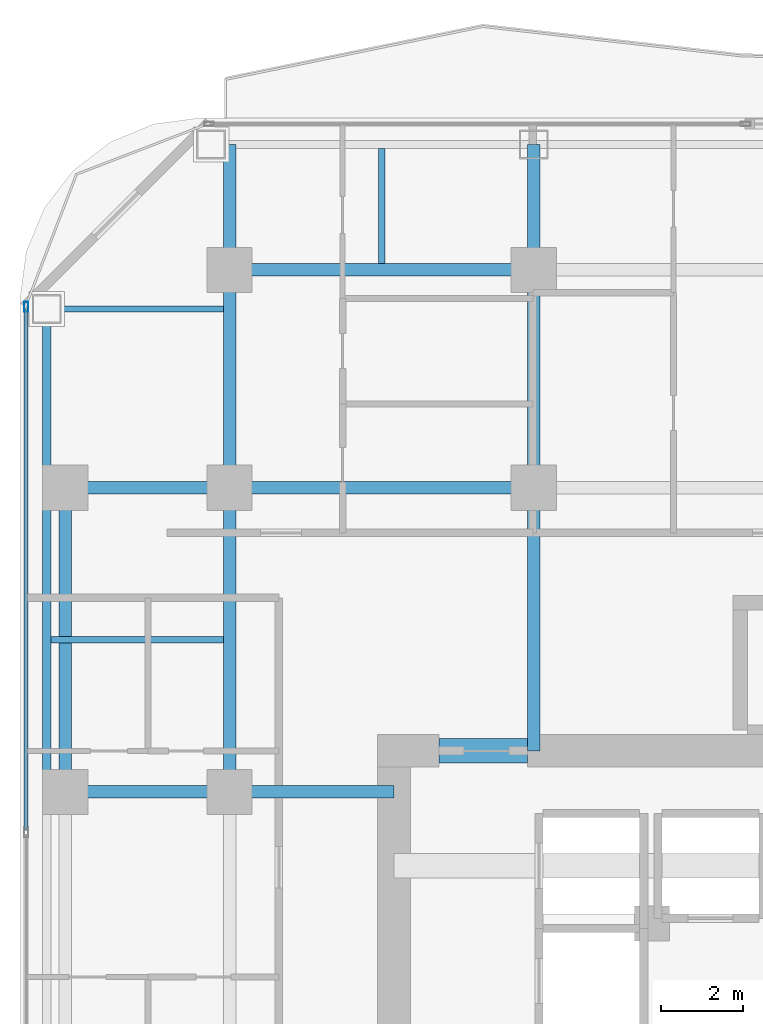
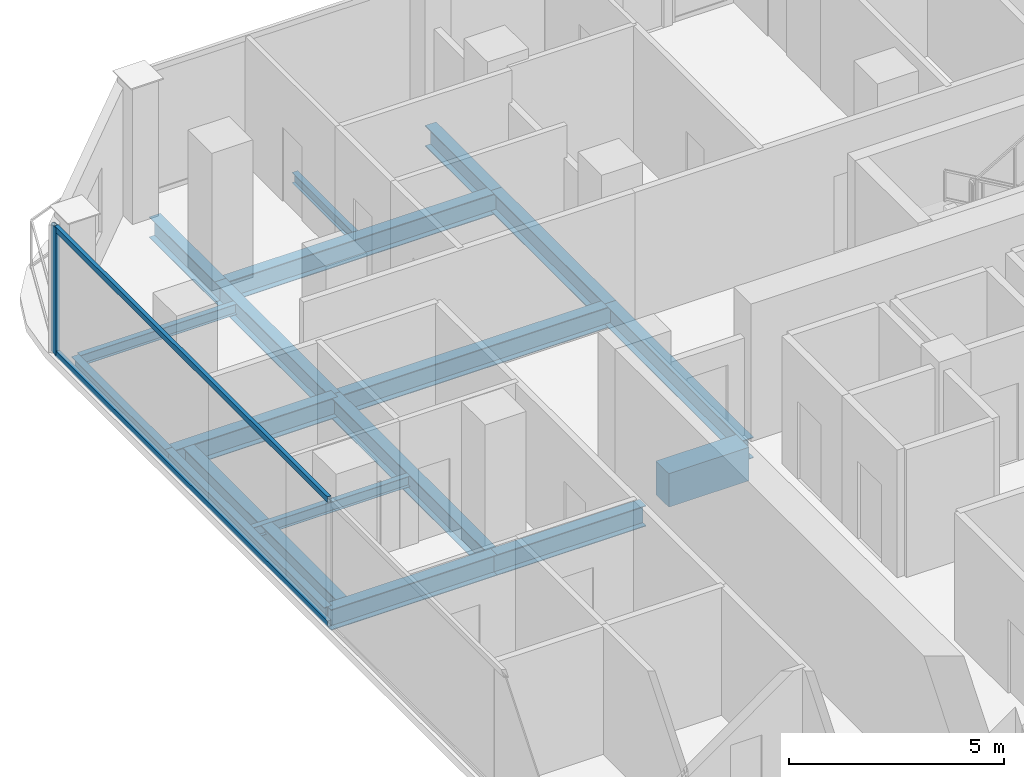
# One storey, part 12 of 27: 18 beams, 3 members, 1 element without a shape of its own.
"""IFC4 building model written with IfcOpenShell, lengths in metres."""

from ifc_helpers import new_model, si_unit, direction, frame, origin, origin_2d, place, context, subcontext, project, spatial, rectangle, hollow_rectangle, i_section, extrude, material, layer, layer_set, material_profile, profile_set, type_object, element, aggregate, save


model = new_model("IFC4")

# Units and contexts
model_context = context("Model", 3, precision=1e-05, world=origin(), true_north=direction((0.0, 1.0)))
body_context = subcontext(model_context, "Body", "Model", "MODEL_VIEW")
ifc_project = project(units=[si_unit("LENGTHUNIT", "METRE"), si_unit("AREAUNIT", "SQUARE_METRE"), si_unit("VOLUMEUNIT", "CUBIC_METRE"), si_unit("PLANEANGLEUNIT", "RADIAN"), si_unit("MASSUNIT", "GRAM", prefix="KILO")], contexts=[model_context])

# Site, building, storey
site_placement = place(None, origin())
site = spatial("IfcSite", under=ifc_project, at=site_placement, CompositionType="ELEMENT")
building_placement = place(site_placement, origin())
building = spatial("IfcBuilding", under=site, at=building_placement, Name="Khorvyn Point Tower", CompositionType="ELEMENT")
storey_placement = place(building_placement, frame((0.0, 0.0, 164.10009765625)))
storey = spatial("IfcBuildingStorey", under=building, at=storey_placement, Name="L40", CompositionType="ELEMENT", Elevation=164.10009765625)

# Curtain wall, members
ifc_material_1 = material(Name="Anodised aluminium 6063-T6 and laminated Low-E glass", Category="aluminium")
ifc_layer = layer(ifc_material_1, 0.18994140625)
ifc_layer_set = layer_set([ifc_layer], Name="Stick-Built Acoustic Curtain Wall CW-SYS-03")
curtain_wall_type = type_object("IfcCurtainWallType", Name="Stick-Built Acoustic Curtain Wall CW-SYS-03", PredefinedType="NOTDEFINED", material=ifc_layer_set)
curtain_wall_placement = place(storey_placement, origin())
curtain_wall = element("IfcCurtainWall", 1, at=curtain_wall_placement, inside=storey, type_object=curtain_wall_type, Name="Curtain Wall", PredefinedType="NOTDEFINED")
ifc_material_2 = material(Name="Anodised aluminium 6063-T6", Category="aluminium")
ifc_material_profile_1 = material_profile(ifc_material_2, hollow_rectangle(XDim=0.10009765625, YDim=0.239990234375, WallThickness=0.0048828125, at=origin_2d()))
ifc_profile_set_1 = profile_set([ifc_material_profile_1], Name="Anodised aluminium 6063-T6 ALU-MUL-100x240")
member_type_1 = type_object("IfcMemberType", Name="Anodised Aluminium 6063-T6 Mullion ALU-MUL-100x240", PredefinedType="MULLION", material=ifc_profile_set_1)
member_1_placement = place(storey_placement, frame((-19.75, 19.199951171875, 0.0), z_axis=(0.0, 0.0, 1.0), x_axis=(-1.0, 0.0, 0.0)))
member_1 = element("IfcMember", 2, at=member_1_placement, type_object=member_type_1, Name="Transom", PredefinedType="MULLION", context=body_context, shape_type="SweptSolid", body=[
    extrude(hollow_rectangle(XDim=0.10009765625, YDim=0.239990234375, WallThickness=0.0048828125, at=origin_2d()), origin(), (0.0, 0.0, 1.0), 3.619873046875),
])
ifc_material_profile_2 = material_profile(ifc_material_2, hollow_rectangle(XDim=0.10009765625, YDim=0.159912109375, WallThickness=0.00439453125, at=origin_2d()))
ifc_profile_set_2 = profile_set([ifc_material_profile_2], Name="Anodised aluminium 6063-T6 ALU-TRN-100x160")
member_type_2 = type_object("IfcMemberType", Name="Anodised Aluminium 6063-T6 Transom ALU-TRN-100x160", PredefinedType="USERDEFINED", material=ifc_profile_set_2)
member_2_placement = place(storey_placement, frame((-19.75, 6.466552734375, 0.0498046875), z_axis=(0.0, 1.0, 0.0), x_axis=(-1.0, 0.0, 0.0)))
member_2 = element("IfcMember", 3, at=member_2_placement, type_object=member_type_2, Name="Transom", ObjectType="TRANSOM", PredefinedType="USERDEFINED", context=body_context, shape_type="SweptSolid", body=[
    extrude(hollow_rectangle(XDim=0.10009765625, YDim=0.159912109375, WallThickness=0.00439453125, at=origin_2d()), origin(), (0.0, 0.0, 1.0), 12.683349609375),
])
member_3_placement = place(storey_placement, frame((-19.75, 6.466552734375, 3.56982421875), z_axis=(0.0, 1.0, 0.0), x_axis=(-1.0, 0.0, 0.0)))
member_3 = element("IfcMember", 4, at=member_3_placement, type_object=member_type_2, Name="Transom", ObjectType="TRANSOM", PredefinedType="USERDEFINED", context=body_context, shape_type="SweptSolid", body=[
    extrude(hollow_rectangle(XDim=0.10009765625, YDim=0.159912109375, WallThickness=0.00439453125, at=origin_2d()), origin(), (0.0, 0.0, 1.0), 12.683349609375),
])
aggregate(curtain_wall, [member_1, member_2, member_3])

# Beams
ifc_material_3 = material(Name="Concrete C50/60", Category="concrete")
ifc_material_profile_3 = material_profile(ifc_material_3, rectangle(XDim=0.60009765625, YDim=0.949951171875, at=origin_2d()))
ifc_profile_set_3 = profile_set([ifc_material_profile_3], Name="Concrete C50/60 RC600x950")
beam_type_1 = type_object("IfcBeamType", Name="Concrete C50/60 Beam RC600x950", PredefinedType="BEAM", material=ifc_profile_set_3)
beam_1_placement = place(storey_placement, frame((-9.699951171875, 8.39990234375, -0.695068359375), z_axis=(1.0, 0.0, 0.0), x_axis=(0.0, 1.0, 0.0)))
element("IfcBeam", 5, at=beam_1_placement, inside=storey, type_object=beam_type_1, Name="L40 Core Northwest Portal Coupling Beam", PredefinedType="BEAM", context=body_context, shape_type="SweptSolid", body=[
    extrude(rectangle(XDim=0.60009765625, YDim=0.949951171875, at=origin_2d()), origin(), (0.0, 0.0, 1.0), 2.14990234375),
])
ifc_material_4 = material(Name="Steel S355", Category="steel")
ifc_material_profile_4 = material_profile(ifc_material_4, i_section(OverallWidth=0.300048828125, OverallDepth=0.587890625, WebThickness=0.011962890625, FlangeThickness=0.02001953125, at=origin_2d()))
ifc_profile_set_4 = profile_set([ifc_material_profile_4], Name="Steel S355 H588x300x12x20")
beam_type_2 = type_object("IfcBeamType", Name="Steel S355 Beam H588x300x12x20", PredefinedType="BEAM", material=ifc_profile_set_4)
beam_2_placement = place(storey_placement, frame((-19.25, 14.800048828125, -0.51416015625), z_axis=(1.0, 0.0, 0.0), x_axis=(0.0, 1.0, 0.0)))
element("IfcBeam", 6, at=beam_2_placement, inside=storey, type_object=beam_type_2, Name="Beam", PredefinedType="BEAM", context=body_context, shape_type="SweptSolid", body=[
    extrude(i_section(OverallWidth=0.300048828125, OverallDepth=0.587890625, WebThickness=0.011962890625, FlangeThickness=0.02001953125, at=origin_2d()), origin(), (0.0, 0.0, 1.0), 4.449951171875),
])
beam_3_placement = place(storey_placement, frame((-14.800048828125, 14.800048828125, -0.51416015625), z_axis=(1.0, 0.0, 0.0), x_axis=(0.0, 1.0, 0.0)))
element("IfcBeam", 7, at=beam_3_placement, inside=storey, type_object=beam_type_2, Name="Beam", PredefinedType="BEAM", context=body_context, shape_type="SweptSolid", body=[
    extrude(i_section(OverallWidth=0.300048828125, OverallDepth=0.587890625, WebThickness=0.011962890625, FlangeThickness=0.02001953125, at=origin_2d()), origin(), (0.0, 0.0, 1.0), 7.400146484375),
])
beam_4_placement = place(storey_placement, frame((-19.25, 7.39990234375, -0.51416015625), z_axis=(1.0, 0.0, 0.0), x_axis=(0.0, 1.0, 0.0)))
element("IfcBeam", 8, at=beam_4_placement, inside=storey, type_object=beam_type_2, Name="Beam", PredefinedType="BEAM", context=body_context, shape_type="SweptSolid", body=[
    extrude(i_section(OverallWidth=0.300048828125, OverallDepth=0.587890625, WebThickness=0.011962890625, FlangeThickness=0.02001953125, at=origin_2d()), origin(), (0.0, 0.0, 1.0), 4.449951171875),
])
beam_5_placement = place(storey_placement, frame((-14.800048828125, 7.39990234375, -0.51416015625), z_axis=(1.0, 0.0, 0.0), x_axis=(0.0, 1.0, 0.0)))
element("IfcBeam", 9, at=beam_5_placement, inside=storey, type_object=beam_type_2, Name="Beam", PredefinedType="BEAM", context=body_context, shape_type="SweptSolid", body=[
    extrude(i_section(OverallWidth=0.300048828125, OverallDepth=0.587890625, WebThickness=0.011962890625, FlangeThickness=0.02001953125, at=origin_2d()), origin(), (0.0, 0.0, 1.0), 4.0),
])
for number, where, z_axis, x_axis, name in (
    (10, (-14.800048828125, 20.10009765625, -0.51416015625), (1.0, 0.0, 0.0), (0.0, 1.0, 0.0), "Beam"),
    (11, (-14.800048828125, 7.39990234375, -0.51416015625), (0.0, 1.0, 0.0), (-1.0, 0.0, 0.0), "Beam"),
):
    element("IfcBeam", number, at=place(storey_placement, frame(where, z_axis=z_axis, x_axis=x_axis)), inside=storey, type_object=beam_type_2, Name=name, PredefinedType="BEAM", context=body_context, shape_type="SweptSolid", body=[
        extrude(i_section(OverallWidth=0.300048828125, OverallDepth=0.587890625, WebThickness=0.011962890625, FlangeThickness=0.02001953125, at=origin_2d()), origin(), (0.0, 0.0, 1.0), 7.400146484375),
    ])
beam_6_placement = place(storey_placement, frame((-14.800048828125, 14.800048828125, -0.51416015625), z_axis=(0.0, 1.0, 0.0), x_axis=(-1.0, 0.0, 0.0)))
element("IfcBeam", 12, at=beam_6_placement, inside=storey, type_object=beam_type_2, Name="Beam", PredefinedType="BEAM", context=body_context, shape_type="SweptSolid", body=[
    extrude(i_section(OverallWidth=0.300048828125, OverallDepth=0.587890625, WebThickness=0.011962890625, FlangeThickness=0.02001953125, at=origin_2d()), origin(), (0.0, 0.0, 1.0), 5.300048828125),
])
beam_7_placement = place(storey_placement, frame((-14.800048828125, 20.10009765625, -0.51416015625), z_axis=(0.0, 1.0, 0.0), x_axis=(-1.0, 0.0, 0.0)))
element("IfcBeam", 13, at=beam_7_placement, inside=storey, type_object=beam_type_2, Name="Beam", PredefinedType="BEAM", context=body_context, shape_type="SweptSolid", body=[
    extrude(i_section(OverallWidth=0.300048828125, OverallDepth=0.587890625, WebThickness=0.011962890625, FlangeThickness=0.02001953125, at=origin_2d()), origin(), (0.0, 0.0, 1.0), 3.0498046875),
])
beam_8_placement = place(storey_placement, frame((-7.39990234375, 8.39990234375, -0.51416015625), z_axis=(0.0, 1.0, 0.0), x_axis=(-1.0, 0.0, 0.0)))
element("IfcBeam", 14, at=beam_8_placement, inside=storey, type_object=beam_type_2, Name="Beam", PredefinedType="BEAM", context=body_context, shape_type="SweptSolid", body=[
    extrude(i_section(OverallWidth=0.300048828125, OverallDepth=0.587890625, WebThickness=0.011962890625, FlangeThickness=0.02001953125, at=origin_2d()), origin(), (0.0, 0.0, 1.0), 6.400146484375),
])
beam_9_placement = place(storey_placement, frame((-7.39990234375, 14.800048828125, -0.51416015625), z_axis=(0.0, 1.0, 0.0), x_axis=(-1.0, 0.0, 0.0)))
element("IfcBeam", 15, at=beam_9_placement, inside=storey, type_object=beam_type_2, Name="Beam", PredefinedType="BEAM", context=body_context, shape_type="SweptSolid", body=[
    extrude(i_section(OverallWidth=0.300048828125, OverallDepth=0.587890625, WebThickness=0.011962890625, FlangeThickness=0.02001953125, at=origin_2d()), origin(), (0.0, 0.0, 1.0), 5.300048828125),
])
beam_10_placement = place(storey_placement, frame((-7.39990234375, 20.10009765625, -0.51416015625), z_axis=(0.0, 1.0, 0.0), x_axis=(-1.0, 0.0, 0.0)))
element("IfcBeam", 16, at=beam_10_placement, inside=storey, type_object=beam_type_2, Name="Beam", PredefinedType="BEAM", context=body_context, shape_type="SweptSolid", body=[
    extrude(i_section(OverallWidth=0.300048828125, OverallDepth=0.587890625, WebThickness=0.011962890625, FlangeThickness=0.02001953125, at=origin_2d()), origin(), (0.0, 0.0, 1.0), 3.0498046875),
])
beam_11_placement = place(storey_placement, frame((-18.800048828125, 7.39990234375, -0.51416015625), z_axis=(0.0, 1.0, 0.0), x_axis=(-1.0, 0.0, 0.0)))
element("IfcBeam", 17, at=beam_11_placement, inside=storey, type_object=beam_type_2, Name="Beam", PredefinedType="BEAM", context=body_context, shape_type="SweptSolid", body=[
    extrude(i_section(OverallWidth=0.300048828125, OverallDepth=0.587890625, WebThickness=0.011962890625, FlangeThickness=0.02001953125, at=origin_2d()), origin(), (0.0, 0.0, 1.0), 7.400146484375),
])
ifc_material_profile_5 = material_profile(ifc_material_4, i_section(OverallWidth=0.14990234375, OverallDepth=0.300048828125, WebThickness=0.006591796875, FlangeThickness=0.009033203125, at=origin_2d()))
ifc_profile_set_5 = profile_set([ifc_material_profile_5], Name="Steel S355 H300x150x6.5x9")
beam_type_3 = type_object("IfcBeamType", Name="Steel S355 Joist H300x150x6.5x9", PredefinedType="JOIST", material=ifc_profile_set_5)
beam_12_placement = place(storey_placement, frame((-19.14990234375, 11.10009765625, -0.3701171875), z_axis=(1.0, 0.0, 0.0), x_axis=(0.0, 1.0, 0.0)))
element("IfcBeam", 18, at=beam_12_placement, inside=storey, type_object=beam_type_3, Name="Beam", PredefinedType="JOIST", context=body_context, shape_type="SweptSolid", body=[
    extrude(i_section(OverallWidth=0.14990234375, OverallDepth=0.300048828125, WebThickness=0.006591796875, FlangeThickness=0.009033203125, at=origin_2d()), origin(), (0.0, 0.0, 1.0), 4.199951171875),
])
beam_13_placement = place(storey_placement, frame((-11.10009765625, 20.25, -0.3701171875), z_axis=(0.0, 1.0, 0.0), x_axis=(-1.0, 0.0, 0.0)))
element("IfcBeam", 19, at=beam_13_placement, inside=storey, type_object=beam_type_3, Name="Beam", PredefinedType="JOIST", context=body_context, shape_type="SweptSolid", body=[
    extrude(i_section(OverallWidth=0.14990234375, OverallDepth=0.300048828125, WebThickness=0.006591796875, FlangeThickness=0.009033203125, at=origin_2d()), origin(), (0.0, 0.0, 1.0), 2.800048828125),
])
beam_14_placement = place(storey_placement, frame((-19.14990234375, 19.14990234375, -0.3701171875), z_axis=(1.0, 0.0, 0.0), x_axis=(0.0, 1.0, 0.0)))
element("IfcBeam", 20, at=beam_14_placement, inside=storey, type_object=beam_type_3, Name="Beam", PredefinedType="JOIST", context=body_context, shape_type="SweptSolid", body=[
    extrude(i_section(OverallWidth=0.14990234375, OverallDepth=0.300048828125, WebThickness=0.006591796875, FlangeThickness=0.009033203125, at=origin_2d()), origin(), (0.0, 0.0, 1.0), 4.199951171875),
])
ifc_material_profile_6 = material_profile(ifc_material_4, i_section(OverallWidth=0.199951171875, OverallDepth=0.449951171875, WebThickness=0.009033203125, FlangeThickness=0.013916015625, at=origin_2d()))
ifc_profile_set_6 = profile_set([ifc_material_profile_6], Name="Steel S355 H450x200x9x14")
beam_type_4 = type_object("IfcBeamType", Name="Steel S355 Spandrel H450x200x9x14", PredefinedType="SPANDREL", material=ifc_profile_set_6)
beam_15_placement = place(storey_placement, frame((-19.25, 7.39990234375, -0.445068359375), z_axis=(0.0, 1.0, 0.0), x_axis=(-1.0, 0.0, 0.0)))
element("IfcBeam", 21, at=beam_15_placement, inside=storey, type_object=beam_type_4, Name="Beam", PredefinedType="SPANDREL", context=body_context, shape_type="SweptSolid", body=[
    extrude(i_section(OverallWidth=0.199951171875, OverallDepth=0.449951171875, WebThickness=0.009033203125, FlangeThickness=0.013916015625, at=origin_2d()), origin(), (0.0, 0.0, 1.0), 7.400146484375),
])
beam_16_placement = place(storey_placement, frame((-19.25, 14.800048828125, -0.445068359375), z_axis=(0.0, 1.0, 0.0), x_axis=(-1.0, 0.0, 0.0)))
element("IfcBeam", 22, at=beam_16_placement, inside=storey, type_object=beam_type_4, Name="Beam", PredefinedType="SPANDREL", context=body_context, shape_type="SweptSolid", body=[
    extrude(i_section(OverallWidth=0.199951171875, OverallDepth=0.449951171875, WebThickness=0.009033203125, FlangeThickness=0.013916015625, at=origin_2d()), origin(), (0.0, 0.0, 1.0), 4.349853515625),
])

save(model, "model.ifc")
